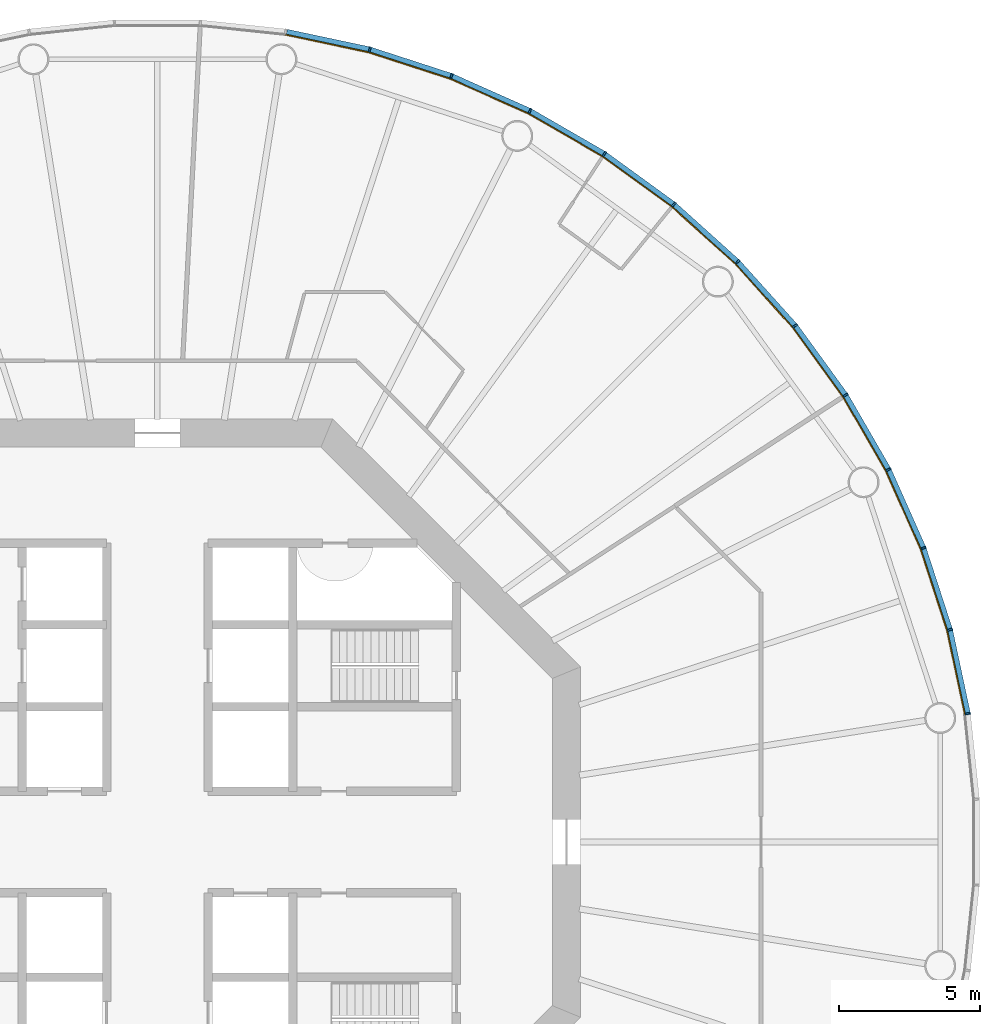
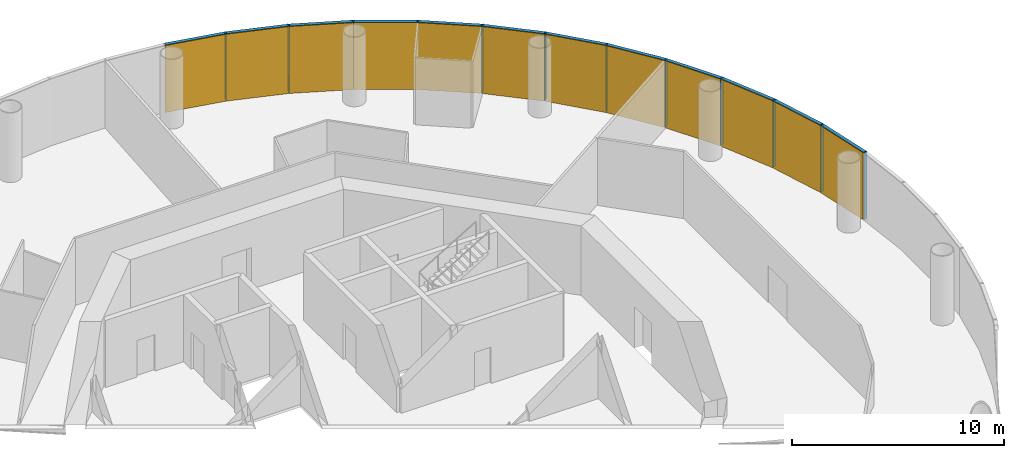
# One storey, part 12 of 13: 24 members, 4 curtain walls.
"""IFC4 building model written with IfcOpenShell, lengths in metres."""

from ifc_helpers import new_model, si_unit, direction, frame, origin, origin_2d, place, context, subcontext, project, spatial, polyline, rectangle, outline, extrude, material, layer, layer_set, material_profile, profile_set, type_object, element, aggregate, save


model = new_model("IFC4")

# Units and contexts
model_context = context("Model", 3, precision=1e-05, world=origin(), true_north=direction((0.0, 1.0)))
body_context = subcontext(model_context, "Body", "Model", "MODEL_VIEW")
ifc_project = project(units=[si_unit("LENGTHUNIT", "METRE"), si_unit("AREAUNIT", "SQUARE_METRE"), si_unit("VOLUMEUNIT", "CUBIC_METRE"), si_unit("PLANEANGLEUNIT", "RADIAN"), si_unit("MASSUNIT", "GRAM", prefix="KILO")], contexts=[model_context])

# Member
ifc_material_1 = material(Name="Anodised aluminium", Category="aluminium")
ifc_material_profile_1 = material_profile(ifc_material_1, rectangle(XDim=0.06494140625, YDim=0.18505859375, at=origin_2d()), Name="Mullion 65 x 185 mm anodised aluminium")
ifc_profile_set_1 = profile_set([ifc_material_profile_1], Name="Anodised aluminium")
member_type_1 = type_object("IfcMemberType", Name="Mullion 65 x 185 mm anodised aluminium", PredefinedType="MULLION", material=ifc_profile_set_1)
site_placement = place(None, origin())
building_placement = place(site_placement, origin())
storey_placement = place(building_placement, frame((0.0, 0.0, 168.0)))
member_1_placement = place(storey_placement, frame((118.734375, 84.551025390625, 0.0), z_axis=(0.0, 0.0, 1.0), x_axis=(-0.15643446504, 0.987688340595, 0.0)))
member_1 = element("IfcMember", 1, at=member_1_placement, type_object=member_type_1, Name="MULLION L38-00", PredefinedType="MULLION", context=body_context, shape_type="SweptSolid", body=[
    extrude(rectangle(XDim=0.06494140625, YDim=0.18505859375, at=origin_2d()), origin(), (0.0, 0.0, 1.0), 3.85009765625),
])

member_2_placement = place(storey_placement, frame((118.101318359375, 87.52978515625, 0.0), z_axis=(0.0, 0.0, 1.0), x_axis=(-0.258819045103, 0.965925826289, 0.0)))
member_2 = element("IfcMember", 2, at=member_2_placement, type_object=member_type_1, Name="MULLION L38-01", PredefinedType="MULLION", context=body_context, shape_type="SweptSolid", body=[
    extrude(rectangle(XDim=0.06494140625, YDim=0.18505859375, at=origin_2d()), origin(), (0.0, 0.0, 1.0), 3.85009765625),
])

member_3_placement = place(storey_placement, frame((117.16015625, 90.42578125, 0.0), z_axis=(0.0, 0.0, 1.0), x_axis=(-0.358367949545, 0.933580426497, 0.0)))
member_3 = element("IfcMember", 3, at=member_3_placement, type_object=member_type_1, Name="MULLION L38-02", PredefinedType="MULLION", context=body_context, shape_type="SweptSolid", body=[
    extrude(rectangle(XDim=0.06494140625, YDim=0.18505859375, at=origin_2d()), origin(), (0.0, 0.0, 1.0), 3.85009765625),
])

member_4_placement = place(storey_placement, frame((115.921630859375, 93.207763671875, 0.0), z_axis=(0.0, 0.0, 1.0), x_axis=(-0.45399049974, 0.891006524188, 0.0)))
member_4 = element("IfcMember", 4, at=member_4_placement, type_object=member_type_1, Name="MULLION L38-03", PredefinedType="MULLION", context=body_context, shape_type="SweptSolid", body=[
    extrude(rectangle(XDim=0.06494140625, YDim=0.18505859375, at=origin_2d()), origin(), (0.0, 0.0, 1.0), 3.85009765625),
])

member_5_placement = place(storey_placement, frame((114.39892578125, 95.844970703125, 0.0), z_axis=(0.0, 0.0, 1.0), x_axis=(-0.544639035015, 0.838670567945, 0.0)))
member_5 = element("IfcMember", 5, at=member_5_placement, type_object=member_type_1, Name="MULLION L38-04", PredefinedType="MULLION", context=body_context, shape_type="SweptSolid", body=[
    extrude(rectangle(XDim=0.06494140625, YDim=0.18505859375, at=origin_2d()), origin(), (0.0, 0.0, 1.0), 3.85009765625),
])

member_6_placement = place(storey_placement, frame((112.609130859375, 98.30859375, 0.0), z_axis=(0.0, 0.0, 1.0), x_axis=(-0.62932039105, 0.777145961457, 0.0)))
member_6 = element("IfcMember", 6, at=member_6_placement, type_object=member_type_1, Name="MULLION L38-05", PredefinedType="MULLION", context=body_context, shape_type="SweptSolid", body=[
    extrude(rectangle(XDim=0.06494140625, YDim=0.18505859375, at=origin_2d()), origin(), (0.0, 0.0, 1.0), 3.85009765625),
])

member_7_placement = place(storey_placement, frame((110.571533203125, 100.571533203125, 0.0), z_axis=(0.0, 0.0, 1.0), x_axis=(-0.707106781187, 0.707106781187, 0.0)))
member_7 = element("IfcMember", 7, at=member_7_placement, type_object=member_type_1, Name="MULLION L38-06", PredefinedType="MULLION", context=body_context, shape_type="SweptSolid", body=[
    extrude(rectangle(XDim=0.06494140625, YDim=0.18505859375, at=origin_2d()), origin(), (0.0, 0.0, 1.0), 3.85009765625),
])

member_8_placement = place(storey_placement, frame((108.30859375, 102.609130859375, 0.0), z_axis=(0.0, 0.0, 1.0), x_axis=(-0.777145961457, 0.62932039105, 0.0)))
member_8 = element("IfcMember", 8, at=member_8_placement, type_object=member_type_1, Name="MULLION L38-07", PredefinedType="MULLION", context=body_context, shape_type="SweptSolid", body=[
    extrude(rectangle(XDim=0.06494140625, YDim=0.18505859375, at=origin_2d()), origin(), (0.0, 0.0, 1.0), 3.85009765625),
])

member_9_placement = place(storey_placement, frame((105.844970703125, 104.39892578125, 0.0), z_axis=(0.0, 0.0, 1.0), x_axis=(-0.838670567945, 0.544639035015, 0.0)))
member_9 = element("IfcMember", 9, at=member_9_placement, type_object=member_type_1, Name="MULLION L38-08", PredefinedType="MULLION", context=body_context, shape_type="SweptSolid", body=[
    extrude(rectangle(XDim=0.06494140625, YDim=0.18505859375, at=origin_2d()), origin(), (0.0, 0.0, 1.0), 3.85009765625),
])

member_10_placement = place(storey_placement, frame((103.207763671875, 105.921630859375, 0.0), z_axis=(0.0, 0.0, 1.0), x_axis=(-0.891006524188, 0.45399049974, 0.0)))
member_10 = element("IfcMember", 10, at=member_10_placement, type_object=member_type_1, Name="MULLION L38-09", PredefinedType="MULLION", context=body_context, shape_type="SweptSolid", body=[
    extrude(rectangle(XDim=0.06494140625, YDim=0.18505859375, at=origin_2d()), origin(), (0.0, 0.0, 1.0), 3.85009765625),
])

member_11_placement = place(storey_placement, frame((100.42578125, 107.16015625, 0.0), z_axis=(0.0, 0.0, 1.0), x_axis=(-0.933580426497, 0.358367949545, 0.0)))
member_11 = element("IfcMember", 11, at=member_11_placement, type_object=member_type_1, Name="MULLION L38-10", PredefinedType="MULLION", context=body_context, shape_type="SweptSolid", body=[
    extrude(rectangle(XDim=0.06494140625, YDim=0.18505859375, at=origin_2d()), origin(), (0.0, 0.0, 1.0), 3.85009765625),
])

member_12_placement = place(storey_placement, frame((97.52978515625, 108.101318359375, 0.0), z_axis=(0.0, 0.0, 1.0), x_axis=(-0.965925826289, 0.258819045103, 0.0)))
member_12 = element("IfcMember", 12, at=member_12_placement, type_object=member_type_1, Name="MULLION L38-11", PredefinedType="MULLION", context=body_context, shape_type="SweptSolid", body=[
    extrude(rectangle(XDim=0.06494140625, YDim=0.18505859375, at=origin_2d()), origin(), (0.0, 0.0, 1.0), 3.85009765625),
])

ifc_material_2 = material(Name="Anodised aluminium", Category="aluminium")
ifc_material_profile_2 = material_profile(ifc_material_2, rectangle(XDim=0.18505859375, YDim=0.175048828125, at=origin_2d()), Name="Transom 175 x 185 mm anodised aluminium")
ifc_profile_set_2 = profile_set([ifc_material_profile_2], Name="Anodised aluminium")
member_type_2 = type_object("IfcMemberType", Name="Transom 175 x 185 mm anodised aluminium", PredefinedType="USERDEFINED", material=ifc_profile_set_2)
member_13_placement = place(storey_placement, frame((118.7265625, 84.587646484375, 3.762451171875), z_axis=(-0.207861704825, 0.97815822425, 0.0), x_axis=(-0.97815822425, -0.207861704825, 0.0)))
member_13 = element("IfcMember", 13, at=member_13_placement, type_object=member_type_2, Name="TRANSOM L38-00", ObjectType="TRANSOM", PredefinedType="USERDEFINED", context=body_context, shape_type="SweptSolid", body=[
    extrude(rectangle(XDim=0.18505859375, YDim=0.175048828125, at=origin_2d()), origin(), (0.0, 0.0, 1.0), 2.970458984375),
])

member_14_placement = place(storey_placement, frame((118.08984375, 87.565185546875, 3.762451171875), z_axis=(-0.30901917063, 0.951055809184, 0.0), x_axis=(-0.951055809184, -0.30901917063, 0.0)))
member_14 = element("IfcMember", 14, at=member_14_placement, type_object=member_type_2, Name="TRANSOM L38-01", ObjectType="TRANSOM", PredefinedType="USERDEFINED", context=body_context, shape_type="SweptSolid", body=[
    extrude(rectangle(XDim=0.18505859375, YDim=0.175048828125, at=origin_2d()), origin(), (0.0, 0.0, 1.0), 2.970703125),
])

member_15_placement = place(storey_placement, frame((117.14501953125, 90.4599609375, 3.762451171875), z_axis=(-0.406687471156, 0.913567348806, 0.0), x_axis=(-0.913567348806, -0.406687471156, 0.0)))
member_15 = element("IfcMember", 15, at=member_15_placement, type_object=member_type_2, Name="TRANSOM L38-02", ObjectType="TRANSOM", PredefinedType="USERDEFINED", context=body_context, shape_type="SweptSolid", body=[
    extrude(rectangle(XDim=0.18505859375, YDim=0.175048828125, at=origin_2d()), origin(), (0.0, 0.0, 1.0), 2.970458984375),
])

member_16_placement = place(storey_placement, frame((115.903076171875, 93.240234375, 3.762451171875), z_axis=(-0.500028367561, 0.866009025146, 0.0), x_axis=(-0.866009025146, -0.500028367561, 0.0)))
member_16 = element("IfcMember", 16, at=member_16_placement, type_object=member_type_2, Name="TRANSOM L38-03", ObjectType="TRANSOM", PredefinedType="USERDEFINED", context=body_context, shape_type="SweptSolid", body=[
    extrude(rectangle(XDim=0.18505859375, YDim=0.175048828125, at=origin_2d()), origin(), (0.0, 0.0, 1.0), 2.970458984375),
])

member_17_placement = place(storey_placement, frame((114.377197265625, 95.875244140625, 3.762451171875), z_axis=(-0.587819781808, 0.808991906087, 0.0), x_axis=(-0.808991906087, -0.587819781808, 0.0)))
member_17 = element("IfcMember", 17, at=member_17_placement, type_object=member_type_2, Name="TRANSOM L38-04", ObjectType="TRANSOM", PredefinedType="USERDEFINED", context=body_context, shape_type="SweptSolid", body=[
    extrude(rectangle(XDim=0.18505859375, YDim=0.175048828125, at=origin_2d()), origin(), (0.0, 0.0, 1.0), 2.970458984375),
])

member_18_placement = place(storey_placement, frame((112.584228515625, 98.33642578125, 3.762451171875), z_axis=(-0.669110027395, 0.743163354343, 0.0), x_axis=(-0.743163354343, -0.669110027395, 0.0)))
member_18 = element("IfcMember", 18, at=member_18_placement, type_object=member_type_2, Name="TRANSOM L38-05", ObjectType="TRANSOM", PredefinedType="USERDEFINED", context=body_context, shape_type="SweptSolid", body=[
    extrude(rectangle(XDim=0.18505859375, YDim=0.175048828125, at=origin_2d()), origin(), (0.0, 0.0, 1.0), 2.970458984375),
])

member_19_placement = place(storey_placement, frame((110.5439453125, 100.5966796875, 3.762451171875), z_axis=(-0.743163354343, 0.669110027395, 0.0), x_axis=(-0.669110027395, -0.743163354343, 0.0)))
member_19 = element("IfcMember", 19, at=member_19_placement, type_object=member_type_2, Name="TRANSOM L38-06", ObjectType="TRANSOM", PredefinedType="USERDEFINED", context=body_context, shape_type="SweptSolid", body=[
    extrude(rectangle(XDim=0.18505859375, YDim=0.175048828125, at=origin_2d()), origin(), (0.0, 0.0, 1.0), 2.970458984375),
])

member_20_placement = place(storey_placement, frame((108.2783203125, 102.631103515625, 3.762451171875), z_axis=(-0.808991906087, 0.587819781808, 0.0), x_axis=(-0.587819781808, -0.808991906087, 0.0)))
member_20 = element("IfcMember", 20, at=member_20_placement, type_object=member_type_2, Name="TRANSOM L38-07", ObjectType="TRANSOM", PredefinedType="USERDEFINED", context=body_context, shape_type="SweptSolid", body=[
    extrude(rectangle(XDim=0.18505859375, YDim=0.175048828125, at=origin_2d()), origin(), (0.0, 0.0, 1.0), 2.970458984375),
])

member_21_placement = place(storey_placement, frame((105.812744140625, 104.417724609375, 3.762451171875), z_axis=(-0.866009025146, 0.500028367561, 0.0), x_axis=(-0.500028367561, -0.866009025146, 0.0)))
member_21 = element("IfcMember", 21, at=member_21_placement, type_object=member_type_2, Name="TRANSOM L38-08", ObjectType="TRANSOM", PredefinedType="USERDEFINED", context=body_context, shape_type="SweptSolid", body=[
    extrude(rectangle(XDim=0.18505859375, YDim=0.175048828125, at=origin_2d()), origin(), (0.0, 0.0, 1.0), 2.970458984375),
])

member_22_placement = place(storey_placement, frame((103.173583984375, 105.93701171875, 3.762451171875), z_axis=(-0.913567348806, 0.406687471156, 0.0), x_axis=(-0.406687471156, -0.913567348806, 0.0)))
member_22 = element("IfcMember", 22, at=member_22_placement, type_object=member_type_2, Name="TRANSOM L38-09", ObjectType="TRANSOM", PredefinedType="USERDEFINED", context=body_context, shape_type="SweptSolid", body=[
    extrude(rectangle(XDim=0.18505859375, YDim=0.175048828125, at=origin_2d()), origin(), (0.0, 0.0, 1.0), 2.970458984375),
])

member_23_placement = place(storey_placement, frame((100.390380859375, 107.171875, 3.762451171875), z_axis=(-0.951055809184, 0.30901917063, 0.0), x_axis=(-0.30901917063, -0.951055809184, 0.0)))
member_23 = element("IfcMember", 23, at=member_23_placement, type_object=member_type_2, Name="TRANSOM L38-10", ObjectType="TRANSOM", PredefinedType="USERDEFINED", context=body_context, shape_type="SweptSolid", body=[
    extrude(rectangle(XDim=0.18505859375, YDim=0.175048828125, at=origin_2d()), origin(), (0.0, 0.0, 1.0), 2.970703125),
])

member_24_placement = place(storey_placement, frame((97.4931640625, 108.109130859375, 3.762451171875), z_axis=(-0.97815822425, 0.207861704825, 0.0), x_axis=(-0.207861704825, -0.97815822425, 0.0)))
member_24 = element("IfcMember", 24, at=member_24_placement, type_object=member_type_2, Name="TRANSOM L38-11", ObjectType="TRANSOM", PredefinedType="USERDEFINED", context=body_context, shape_type="SweptSolid", body=[
    extrude(rectangle(XDim=0.18505859375, YDim=0.175048828125, at=origin_2d()), origin(), (0.0, 0.0, 1.0), 2.970458984375),
])

# Site, building, storey
site = spatial("IfcSite", under=ifc_project, at=site_placement, CompositionType="ELEMENT")
building = spatial("IfcBuilding", under=site, at=building_placement, Name="Entoto Ring Tower", CompositionType="ELEMENT")
storey = spatial("IfcBuildingStorey", under=building, at=storey_placement, Name="L38", CompositionType="ELEMENT", Elevation=168.0)

# Curtain wall
ifc_material_3 = material(Name="Clear low-iron glass", Category="glass")
ifc_layer = layer(ifc_material_3, 0.033935546875)
ifc_layer_set = layer_set([ifc_layer], Name="Clear low-iron glass")
curtain_wall_type = type_object("IfcCurtainWallType", Name="Curtain wall system CW3 glazing 34 mm", PredefinedType="NOTDEFINED", material=ifc_layer_set)
curtain_wall_1_placement = place(storey_placement, origin())
curtain_wall_1 = element("IfcCurtainWall", 25, at=curtain_wall_1_placement, inside=storey, type_object=curtain_wall_type, Name="CW3 L38-01", PredefinedType="NOTDEFINED", context=body_context, shape_type="SweptSolid", body=[
    extrude(outline(polyline([(118.64306640625, 84.53662109375), (118.011962890625, 87.505859375), (117.07373046875, 90.392578125), (115.839111328125, 93.165771484375), (115.808837890625, 93.150146484375), (117.0419921875, 90.38037109375), (117.97900390625, 87.496826171875), (118.609375, 84.53125), (118.64306640625, 84.53662109375)])), origin(), (0.0, 0.0, 1.0), 3.85009765625),
])

aggregate(curtain_wall_1, [member_1, member_2, member_3, member_13, member_14, member_15])

curtain_wall_2_placement = place(storey_placement, origin())
curtain_wall_2 = element("IfcCurtainWall", 26, at=curtain_wall_2_placement, inside=storey, type_object=curtain_wall_type, Name="CW3 L38-02", PredefinedType="NOTDEFINED", context=body_context, shape_type="SweptSolid", body=[
    extrude(outline(polyline([(115.839111328125, 93.165771484375), (114.321533203125, 95.79443359375), (112.537353515625, 98.250244140625), (110.506103515625, 100.506103515625), (110.48193359375, 100.48193359375), (112.5107421875, 98.228759765625), (114.29296875, 95.77587890625), (115.808837890625, 93.150146484375), (115.839111328125, 93.165771484375)])), origin(), (0.0, 0.0, 1.0), 3.85009765625),
])

aggregate(curtain_wall_2, [member_4, member_5, member_6, member_16, member_17, member_18])

curtain_wall_3_placement = place(storey_placement, origin())
curtain_wall_3 = element("IfcCurtainWall", 27, at=curtain_wall_3_placement, inside=storey, type_object=curtain_wall_type, Name="CW3 L38-03", PredefinedType="NOTDEFINED", context=body_context, shape_type="SweptSolid", body=[
    extrude(outline(polyline([(110.506103515625, 100.506103515625), (108.250244140625, 102.537353515625), (105.79443359375, 104.321533203125), (103.165771484375, 105.839111328125), (103.150146484375, 105.808837890625), (105.77587890625, 104.29296875), (108.228759765625, 102.5107421875), (110.48193359375, 100.48193359375), (110.506103515625, 100.506103515625)])), origin(), (0.0, 0.0, 1.0), 3.85009765625),
])

aggregate(curtain_wall_3, [member_7, member_8, member_9, member_19, member_20, member_21])

curtain_wall_4_placement = place(storey_placement, origin())
curtain_wall_4 = element("IfcCurtainWall", 28, at=curtain_wall_4_placement, inside=storey, type_object=curtain_wall_type, Name="CW3 L38-04", PredefinedType="NOTDEFINED", context=body_context, shape_type="SweptSolid", body=[
    extrude(outline(polyline([(103.165771484375, 105.839111328125), (100.392578125, 107.07373046875), (97.505859375, 108.011962890625), (94.53662109375, 108.64306640625), (94.53125, 108.609375), (97.496826171875, 107.97900390625), (100.38037109375, 107.0419921875), (103.150146484375, 105.808837890625), (103.165771484375, 105.839111328125)])), origin(), (0.0, 0.0, 1.0), 3.85009765625),
])

aggregate(curtain_wall_4, [member_10, member_11, member_12, member_22, member_23, member_24])

save(model, "model.ifc")
